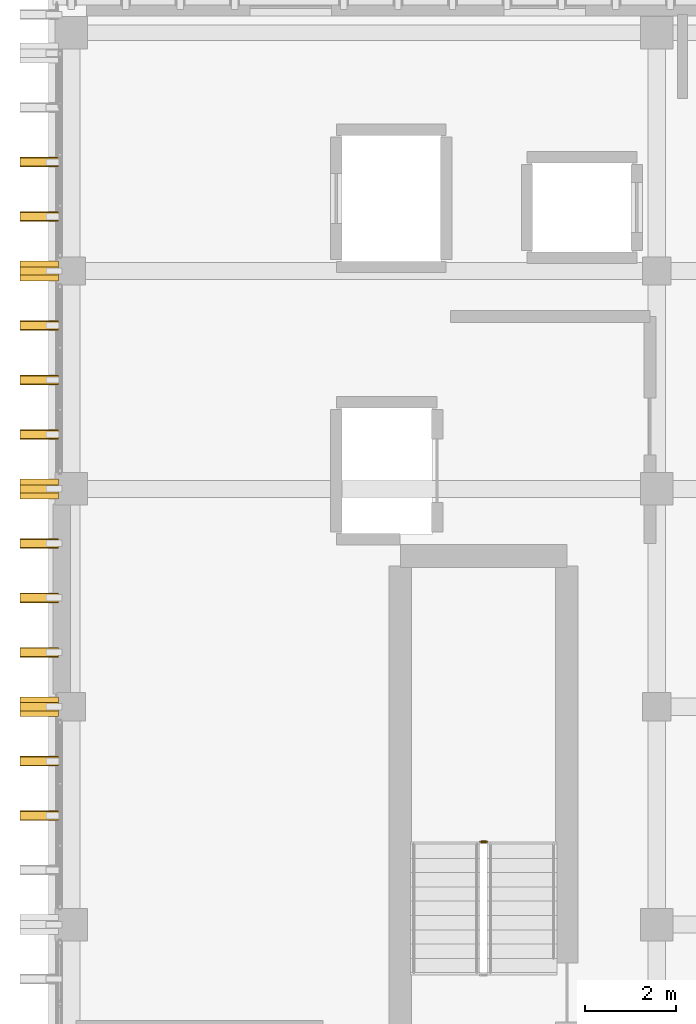
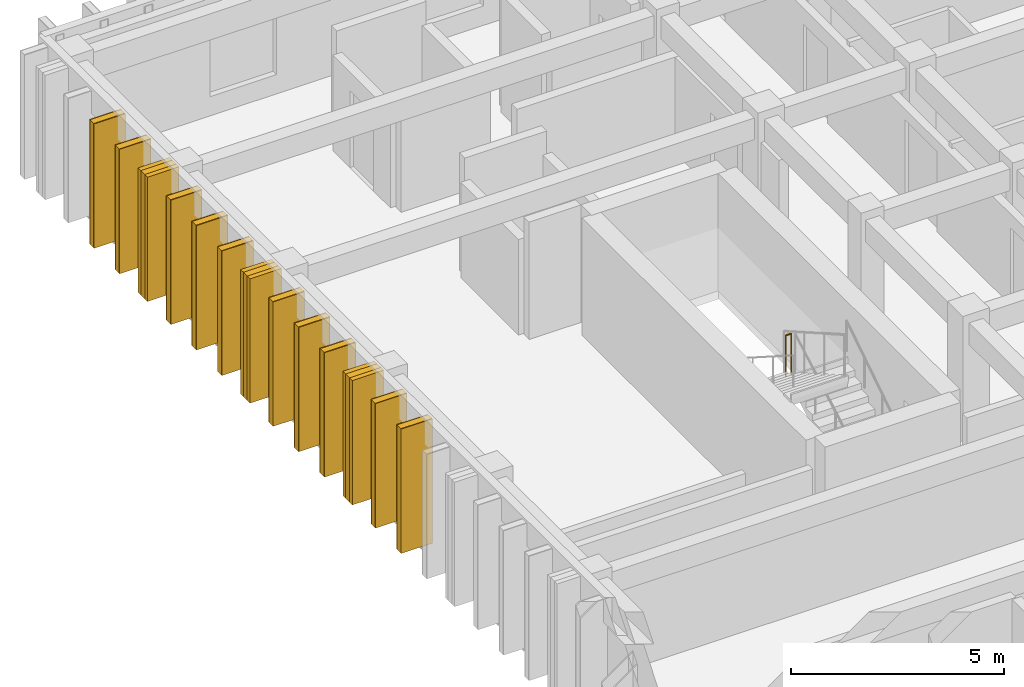
# One storey, part 58 of 59: 13 coverings, 13 shading devices, 1 railing.
"""IFC4 building model written with IfcOpenShell, lengths in metres."""

import ifcopenshell
import ifcopenshell.guid

model = None  # the IFC model being written
_history = None  # IfcOwnerHistory: only IFC2X3 demands one
_inside = {}  # id of a spatial element -> (the spatial element, [elements in it])
_under = {}  # id of a project, library or spatial element -> (it, [spatial elements below it])
_declared = {}  # id of a project -> (the project, [libraries it declares])
_typed = {}  # id of a type object -> (the type object, [elements of that type])
_made_of = {}  # id of a material, layer set ... -> (it, [elements and type objects made of it])


def new_model(schema):
    """Start an empty IFC model of exactly this schema.

    Asked for "IFC4X3", IfcOpenShell would pick the latest addendum, in which some entities
    have other attributes; the version numbers below select the first issue.
    IFC2X3 requires an IfcOwnerHistory on every rooted entity: one is made here for all.
    """
    global model, _history
    if schema == "IFC4X3":
        model = ifcopenshell.file(schema_version=(4, 3, 0, 0))
    else:
        model = ifcopenshell.file(schema=schema)
    _inside.clear()
    _under.clear()
    _declared.clear()
    _typed.clear()
    _made_of.clear()
    _history = None
    if model.schema == "IFC2X3":
        org = make("IfcOrganization", Name="unknown")
        user = make(
            "IfcPersonAndOrganization",
            ThePerson=make("IfcPerson", FamilyName="unknown"),
            TheOrganization=org,
        )
        app = make(
            "IfcApplication",
            ApplicationDeveloper=org,
            Version="unknown",
            ApplicationFullName="unknown",
            ApplicationIdentifier="unknown",
        )
        _history = make(
            "IfcOwnerHistory",
            OwningUser=user,
            OwningApplication=app,
            ChangeAction="ADDED",
            CreationDate=0,
        )
    return model


def make(cls, **values):
    """One entity of the class cls with the attributes given. An attribute that is None is left unset."""
    return model.create_entity(
        cls, **{name: value for name, value in values.items() if value is not None}
    )


def rooted(cls, **values):
    """An entity with a GlobalId (a new one), such as an element, a storey or a relation."""
    return make(cls, GlobalId=ifcopenshell.guid.new(), OwnerHistory=_history, **values)


def si_unit(unit_type, name, prefix=None):
    """IfcSIUnit, for example si_unit("LENGTHUNIT", "METRE", prefix="MILLI")."""
    return make("IfcSIUnit", UnitType=unit_type, Prefix=prefix, Name=name)


def assignment(units):
    """IfcUnitAssignment: the units of a project."""
    return None if units is None else make("IfcUnitAssignment", Units=units)


def point(xyz):
    """IfcCartesianPoint."""
    return None if xyz is None else make("IfcCartesianPoint", Coordinates=xyz)


def direction(xyz):
    """IfcDirection."""
    return None if xyz is None else make("IfcDirection", DirectionRatios=xyz)


def frame(location, z_axis=None, x_axis=None):
    """IfcAxis2Placement3D, a coordinate frame: its origin and axes. An axis left out is left unset."""
    return make(
        "IfcAxis2Placement3D",
        Location=point(location),
        Axis=direction(z_axis),
        RefDirection=direction(x_axis),
    )


def frame_2d(location, x_axis=None):
    """IfcAxis2Placement2D, a coordinate frame in the plane: its origin and x axis."""
    return make(
        "IfcAxis2Placement2D", Location=point(location), RefDirection=direction(x_axis)
    )


def origin():
    """The frame at (0, 0, 0) with its axes left unset."""
    return frame((0.0, 0.0, 0.0))


def origin_2d():
    """The frame at (0, 0) in the plane with its x axis left unset."""
    return frame_2d((0.0, 0.0))


def place(relative_to, where):
    """IfcLocalPlacement: puts the frame where relative to a parent placement (None: the world)."""
    return make(
        "IfcLocalPlacement", PlacementRelTo=relative_to, RelativePlacement=where
    )


def context(
    kind, dimensions, precision=None, world=None, true_north=None, identifier=None
):
    """IfcGeometricRepresentationContext, for example the 3D "Model" context."""
    return make(
        "IfcGeometricRepresentationContext",
        ContextIdentifier=identifier,
        ContextType=kind,
        CoordinateSpaceDimension=dimensions,
        Precision=precision,
        WorldCoordinateSystem=world,
        TrueNorth=true_north,
    )


def subcontext(parent, identifier, kind, view, scale=None):
    """IfcGeometricRepresentationSubContext, for example "Body" below "Model"."""
    return make(
        "IfcGeometricRepresentationSubContext",
        ContextIdentifier=identifier,
        ContextType=kind,
        ParentContext=parent,
        TargetScale=scale,
        TargetView=view,
    )


def project(units=None, contexts=None):
    """IfcProject with its units and contexts."""
    return rooted(
        "IfcProject",
        Name="project",
        RepresentationContexts=contexts,
        UnitsInContext=assignment(units),
    )


def spatial(cls, under=None, at=None, **own):
    """A site, building, storey or space (cls), placed at a placement, below another one or the project."""
    s = rooted(cls, ObjectPlacement=at, **own)
    if under is not None:
        _under.setdefault(under.id(), (under, []))[1].append(s)
    return s


def profile(cls, at=None, kind="AREA", **sizes):
    """A parametric profile (cls). Its sizes go by their IFC names, for example OverallWidth=200.0."""
    return make(cls, ProfileType=kind, Position=at, **sizes)


def rectangle(**sizes):
    """IfcRectangleProfileDef."""
    return profile("IfcRectangleProfileDef", **sizes)


def circle(**sizes):
    """IfcCircleProfileDef."""
    return profile("IfcCircleProfileDef", **sizes)


def extrude(swept, where, along, depth):
    """IfcExtrudedAreaSolid: the profile swept, set in the frame where, extruded along a direction by depth."""
    return make(
        "IfcExtrudedAreaSolid",
        SweptArea=swept,
        Position=where,
        ExtrudedDirection=direction(along),
        Depth=depth,
    )


def shape(context_of_items, identifier, shape_type, items):
    """IfcShapeRepresentation: the items that make up one representation, for example the "Body"."""
    return make(
        "IfcShapeRepresentation",
        ContextOfItems=context_of_items,
        RepresentationIdentifier=identifier,
        RepresentationType=shape_type,
        Items=items,
    )


def material(Name=None, Category=None):
    """IfcMaterial."""
    return make("IfcMaterial", Name=Name, Category=Category)


def layer(
    of_material, thickness, ventilated=None, Name=None, Category=None, Priority=None
):
    """IfcMaterialLayer: one layer of a wall or slab, of a material (None: an air gap)."""
    return make(
        "IfcMaterialLayer",
        Material=of_material,
        LayerThickness=thickness,
        IsVentilated=ventilated,
        Name=Name,
        Category=Category,
        Priority=Priority,
    )


def layer_set(layers, Name=None):
    """IfcMaterialLayerSet."""
    return make("IfcMaterialLayerSet", MaterialLayers=layers, LayerSetName=Name)


def made_of(thing, what):
    """Note that an element or type object is made of a material, layer set ...; save() writes the relation."""
    if what is not None:
        _made_of.setdefault(what.id(), (what, []))[1].append(thing)
    return thing


def type_object(cls, material=None, **own):
    """A type object (cls), such as IfcWallType, which elements share."""
    return made_of(rooted(cls, **own), material)


def element(
    cls,
    number,
    at=None,
    inside=None,
    cuts=None,
    type_object=None,
    material=None,
    context=None,
    identifier="Body",
    shape_type=None,
    held_by="IfcProductDefinitionShape",
    body=None,
    shapes=None,
    **own,
):
    """One element of the class cls, such as IfcWall. Its Tag is "e" and its number.

    at: its placement. inside: the storey or other place that contains it. cuts: it is an
    opening in that element (IfcRelVoidsElement). A single representation is given by context,
    identifier, shape_type and body (its items); several are given by shapes. held_by: the class
    of the entity that holds the representations. save() writes the other relations.
    """
    e = rooted(cls, Tag="e%d" % number, ObjectPlacement=at, **own)
    if body is not None:
        shapes = [shape(context, identifier, shape_type, body)]
    if shapes is not None:
        e.Representation = make(held_by, Representations=shapes)
    if inside is not None:
        _inside.setdefault(inside.id(), (inside, []))[1].append(e)
    if cuts is not None:
        rooted(
            "IfcRelVoidsElement", RelatingBuildingElement=cuts, RelatedOpeningElement=e
        )
    if type_object is not None:
        _typed.setdefault(type_object.id(), (type_object, []))[1].append(e)
    return made_of(e, material)


def aggregate(whole, parts):
    """IfcRelAggregates: a whole, such as a stair, and the parts it consists of."""
    return rooted("IfcRelAggregates", RelatingObject=whole, RelatedObjects=parts)


def save(model, path):
    """Write the relations noted so far, then the file.

    IfcRelAggregates (storeys below a building ...), IfcRelContainedInSpatialStructure (elements
    in a storey), IfcRelDefinesByType, IfcRelAssociatesMaterial and IfcRelDeclares: one each for
    every whole, place, type object, material and project.
    """
    for whole, parts in _under.values():
        aggregate(whole, parts)
    for where, things in _inside.values():
        rooted(
            "IfcRelContainedInSpatialStructure",
            RelatedElements=things,
            RelatingStructure=where,
        )
    for kind, things in _typed.values():
        rooted("IfcRelDefinesByType", RelatedObjects=things, RelatingType=kind)
    for what, things in _made_of.values():
        rooted("IfcRelAssociatesMaterial", RelatedObjects=things, RelatingMaterial=what)
    for by, libraries in _declared.values():
        rooted("IfcRelDeclares", RelatingContext=by, RelatedDefinitions=libraries)
    model.write(path)


model = new_model("IFC4")

# Units and contexts
model_context = context("Model", 3, precision=1e-05, world=origin(), true_north=direction((0.0, 1.0)))
body_context = subcontext(model_context, "Body", "Model", "MODEL_VIEW")
ifc_project = project(units=[si_unit("LENGTHUNIT", "METRE"), si_unit("AREAUNIT", "SQUARE_METRE"), si_unit("VOLUMEUNIT", "CUBIC_METRE"), si_unit("PLANEANGLEUNIT", "RADIAN"), si_unit("MASSUNIT", "GRAM", prefix="KILO")], contexts=[model_context])

# Site, building, storey
site_placement = place(None, origin())
site = spatial("IfcSite", under=ifc_project, at=site_placement, CompositionType="ELEMENT")
building_placement = place(site_placement, origin())
building = spatial("IfcBuilding", under=site, at=building_placement, Name="Nakhvara Creek Congress Hotel", CompositionType="ELEMENT")
storey_placement = place(building_placement, frame((0.0, 0.0, 31.800048828125)))
storey = spatial("IfcBuildingStorey", under=building, at=storey_placement, Name="L07", CompositionType="ELEMENT", Elevation=31.800048828125)

# Coverings
ifc_material_1 = material(Name="Honed pale Omani limestone architectural cladding", Category="masonry")
ifc_layer = layer(ifc_material_1, 0.219970703125)
ifc_layer_set = layer_set([ifc_layer], Name="Honed pale Omani limestone architectural cladding")
covering_type = type_object("IfcCoveringType", Name="COV-FIN-850", PredefinedType="CLADDING", material=ifc_layer_set)
for number, where, z_axis, x_axis, name in (
    (1, (148.7451171875, 108.0, 0.0), (0.0, 0.0, 1.0), (0.0, 1.0, 0.0), "Pale Limestone Fin Cladding CF01-1900"),
    (2, (148.7451171875, 109.199951171875, 0.0), (0.0, 0.0, 1.0), (0.0, 1.0, 0.0), "Pale Limestone Fin Cladding CF01-1902"),
):
    element("IfcCovering", number, at=place(storey_placement, frame(where, z_axis=z_axis, x_axis=x_axis)), inside=storey, type_object=covering_type, Name=name, PredefinedType="CLADDING", context=body_context, shape_type="SweptSolid", body=[
        extrude(rectangle(XDim=0.219970703125, YDim=0.85009765625, at=origin_2d()), origin(), (0.0, 0.0, 1.0), 3.56005859375),
    ])
covering_1_placement = place(storey_placement, frame((148.7451171875, 110.39990234375, 0.0), z_axis=(0.0, 0.0, 1.0), x_axis=(0.0, 1.0, 0.0)))
element("IfcCovering", 3, at=covering_1_placement, inside=storey, type_object=covering_type, Name="Pale Limestone Fin Cladding CF01-1904", PredefinedType="CLADDING", context=body_context, shape_type="SweptSolid", body=[
    extrude(rectangle(XDim=0.43994140625, YDim=0.85009765625, at=origin_2d()), origin(), (0.0, 0.0, 1.0), 3.56005859375),
])
for number, where, z_axis, x_axis, name in (
    (4, (148.7451171875, 111.60009765625, 0.0), (0.0, 0.0, 1.0), (0.0, 1.0, 0.0), "Pale Limestone Fin Cladding CF01-1906"),
    (5, (148.7451171875, 112.800048828125, 0.0), (0.0, 0.0, 1.0), (0.0, 1.0, 0.0), "Pale Limestone Fin Cladding CF01-1908"),
    (6, (148.7451171875, 114.0, 0.0), (0.0, 0.0, 1.0), (0.0, 1.0, 0.0), "Pale Limestone Fin Cladding CF01-1910"),
):
    element("IfcCovering", number, at=place(storey_placement, frame(where, z_axis=z_axis, x_axis=x_axis)), inside=storey, type_object=covering_type, Name=name, PredefinedType="CLADDING", context=body_context, shape_type="SweptSolid", body=[
        extrude(rectangle(XDim=0.219970703125, YDim=0.85009765625, at=origin_2d()), origin(), (0.0, 0.0, 1.0), 3.56005859375),
    ])
covering_2_placement = place(storey_placement, frame((148.7451171875, 115.199951171875, 0.0), z_axis=(0.0, 0.0, 1.0), x_axis=(0.0, 1.0, 0.0)))
element("IfcCovering", 7, at=covering_2_placement, inside=storey, type_object=covering_type, Name="Pale Limestone Fin Cladding CF01-1912", PredefinedType="CLADDING", context=body_context, shape_type="SweptSolid", body=[
    extrude(rectangle(XDim=0.43994140625, YDim=0.85009765625, at=origin_2d()), origin(), (0.0, 0.0, 1.0), 3.56005859375),
])
for number, where, z_axis, x_axis, name in (
    (8, (148.7451171875, 116.39990234375, 0.0), (0.0, 0.0, 1.0), (0.0, 1.0, 0.0), "Pale Limestone Fin Cladding CF01-1914"),
    (9, (148.7451171875, 117.60009765625, 0.0), (0.0, 0.0, 1.0), (0.0, 1.0, 0.0), "Pale Limestone Fin Cladding CF01-1915"),
    (10, (148.7451171875, 118.800048828125, 0.0), (0.0, 0.0, 1.0), (0.0, 1.0, 0.0), "Pale Limestone Fin Cladding CF01-1917"),
):
    element("IfcCovering", number, at=place(storey_placement, frame(where, z_axis=z_axis, x_axis=x_axis)), inside=storey, type_object=covering_type, Name=name, PredefinedType="CLADDING", context=body_context, shape_type="SweptSolid", body=[
        extrude(rectangle(XDim=0.219970703125, YDim=0.85009765625, at=origin_2d()), origin(), (0.0, 0.0, 1.0), 3.56005859375),
    ])
covering_3_placement = place(storey_placement, frame((148.7451171875, 120.0, 0.0), z_axis=(0.0, 0.0, 1.0), x_axis=(0.0, 1.0, 0.0)))
element("IfcCovering", 11, at=covering_3_placement, inside=storey, type_object=covering_type, Name="Pale Limestone Fin Cladding CF01-1919", PredefinedType="CLADDING", context=body_context, shape_type="SweptSolid", body=[
    extrude(rectangle(XDim=0.43994140625, YDim=0.85009765625, at=origin_2d()), origin(), (0.0, 0.0, 1.0), 3.56005859375),
])
for number, where, z_axis, x_axis, name in (
    (12, (148.7451171875, 121.199951171875, 0.0), (0.0, 0.0, 1.0), (0.0, 1.0, 0.0), "Pale Limestone Fin Cladding CF01-1921"),
    (13, (148.7451171875, 122.39990234375, 0.0), (0.0, 0.0, 1.0), (0.0, 1.0, 0.0), "Pale Limestone Fin Cladding CF01-1923"),
):
    element("IfcCovering", number, at=place(storey_placement, frame(where, z_axis=z_axis, x_axis=x_axis)), inside=storey, type_object=covering_type, Name=name, PredefinedType="CLADDING", context=body_context, shape_type="SweptSolid", body=[
        extrude(rectangle(XDim=0.219970703125, YDim=0.85009765625, at=origin_2d()), origin(), (0.0, 0.0, 1.0), 3.56005859375),
    ])

# Railing
ifc_material_2 = material(Name="Brushed stainless steel 316L", Category="steel")
railing_type = type_object("IfcRailingType", Name="RL-GUARD-1200", PredefinedType="GUARDRAIL", material=ifc_material_2)
railing_placement = place(storey_placement, frame((158.610107421875, 107.425048828125, 1.800048828125)))
element("IfcRailing", 14, at=railing_placement, inside=storey, type_object=railing_type, Name="L07 ST02 stair guard 2", PredefinedType="GUARDRAIL", context=body_context, shape_type="SweptSolid", body=[
    extrude(circle(Radius=0.02392578125, at=origin_2d()), frame((-0.0146484375, 0.0, 1.17578125), z_axis=(-1.0, 0.0, 0.0), x_axis=(0.0, -1.0, 0.0)), (0.0, 0.0, 1.0), 0.120849609375),
    extrude(circle(Radius=0.02099609375, at=origin_2d()), origin(), (0.0, 0.0, 1.0), 1.1806640625),
    extrude(circle(Radius=0.02099609375, at=origin_2d()), frame((-0.150146484375, 0.0, 0.0)), (0.0, 0.0, 1.0), 1.1806640625),
])

# Shading devices
ifc_material_3 = material(Name="Honed pale Omani limestone cladding on stainless steel spine", Category="masonry")
shading_device_type = type_object("IfcShadingDeviceType", Name="SHD-FIN-850X3600", PredefinedType="USERDEFINED", material=ifc_material_3)
for number, where, z_axis, x_axis, name in (
    (15, (148.7451171875, 108.0, 0.0), (0.0, 0.0, 1.0), (0.0, 1.0, 0.0), "Limestone Solar Fin FN01-1765"),
    (16, (148.7451171875, 109.199951171875, 0.0), (0.0, 0.0, 1.0), (0.0, 1.0, 0.0), "Limestone Solar Fin FN01-1767"),
    (17, (148.7451171875, 110.39990234375, 0.0), (0.0, 0.0, 1.0), (0.0, 1.0, 0.0), "Limestone Solar Fin FN01-1769"),
    (18, (148.7451171875, 111.60009765625, 0.0), (0.0, 0.0, 1.0), (0.0, 1.0, 0.0), "Limestone Solar Fin FN01-1771"),
    (19, (148.7451171875, 112.800048828125, 0.0), (0.0, 0.0, 1.0), (0.0, 1.0, 0.0), "Limestone Solar Fin FN01-1773"),
    (20, (148.7451171875, 114.0, 0.0), (0.0, 0.0, 1.0), (0.0, 1.0, 0.0), "Limestone Solar Fin FN01-1775"),
    (21, (148.7451171875, 115.199951171875, 0.0), (0.0, 0.0, 1.0), (0.0, 1.0, 0.0), "Limestone Solar Fin FN01-1777"),
    (22, (148.7451171875, 116.39990234375, 0.0), (0.0, 0.0, 1.0), (0.0, 1.0, 0.0), "Limestone Solar Fin FN01-1779"),
    (23, (148.7451171875, 117.60009765625, 0.0), (0.0, 0.0, 1.0), (0.0, 1.0, 0.0), "Limestone Solar Fin FN01-1780"),
    (24, (148.7451171875, 118.800048828125, 0.0), (0.0, 0.0, 1.0), (0.0, 1.0, 0.0), "Limestone Solar Fin FN01-1782"),
    (25, (148.7451171875, 120.0, 0.0), (0.0, 0.0, 1.0), (0.0, 1.0, 0.0), "Limestone Solar Fin FN01-1784"),
    (26, (148.7451171875, 121.199951171875, 0.0), (0.0, 0.0, 1.0), (0.0, 1.0, 0.0), "Limestone Solar Fin FN01-1786"),
    (27, (148.7451171875, 122.39990234375, 0.0), (0.0, 0.0, 1.0), (0.0, 1.0, 0.0), "Limestone Solar Fin FN01-1788"),
):
    element("IfcShadingDevice", number, at=place(storey_placement, frame(where, z_axis=z_axis, x_axis=x_axis)), inside=storey, type_object=shading_device_type, Name=name, ObjectType="FIN", PredefinedType="USERDEFINED", context=body_context, shape_type="SweptSolid", body=[
        extrude(rectangle(XDim=0.179931640625, YDim=0.85009765625, at=origin_2d()), origin(), (0.0, 0.0, 1.0), 3.56005859375),
    ])

save(model, "model.ifc")
